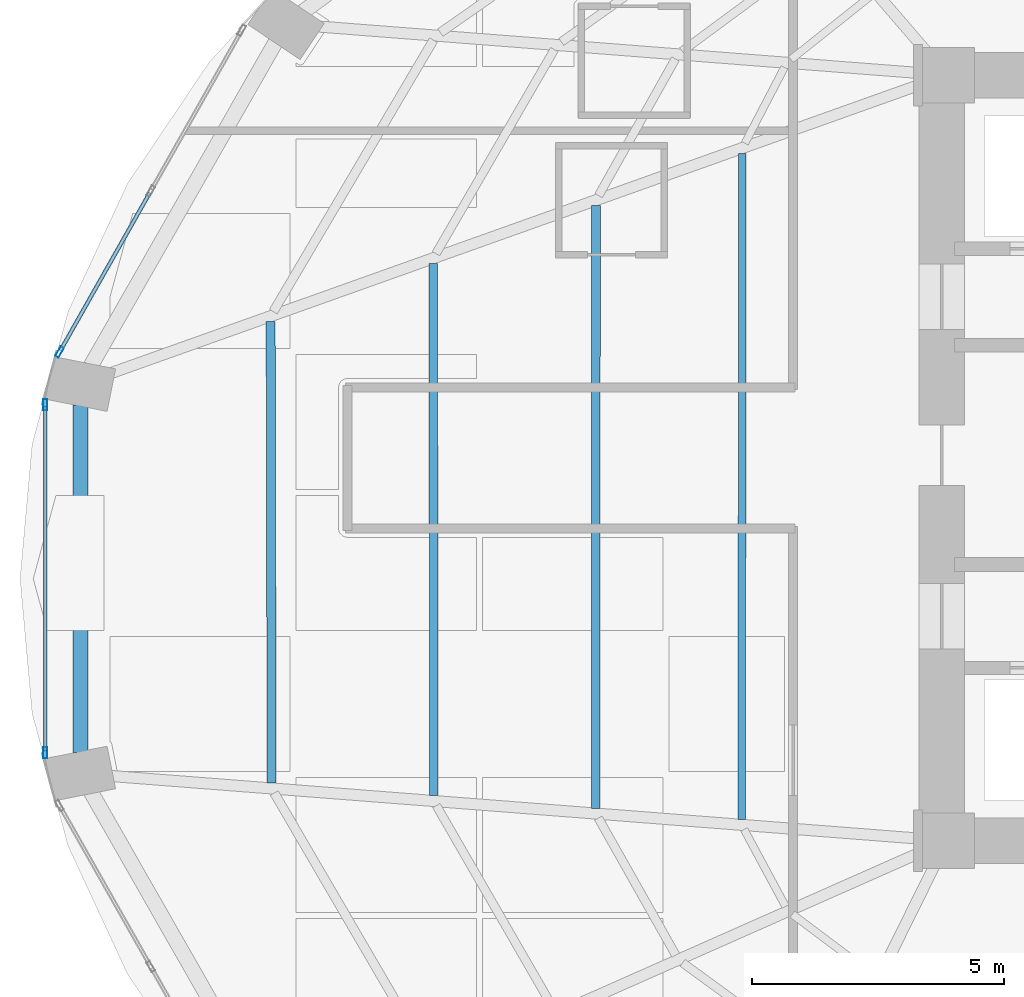
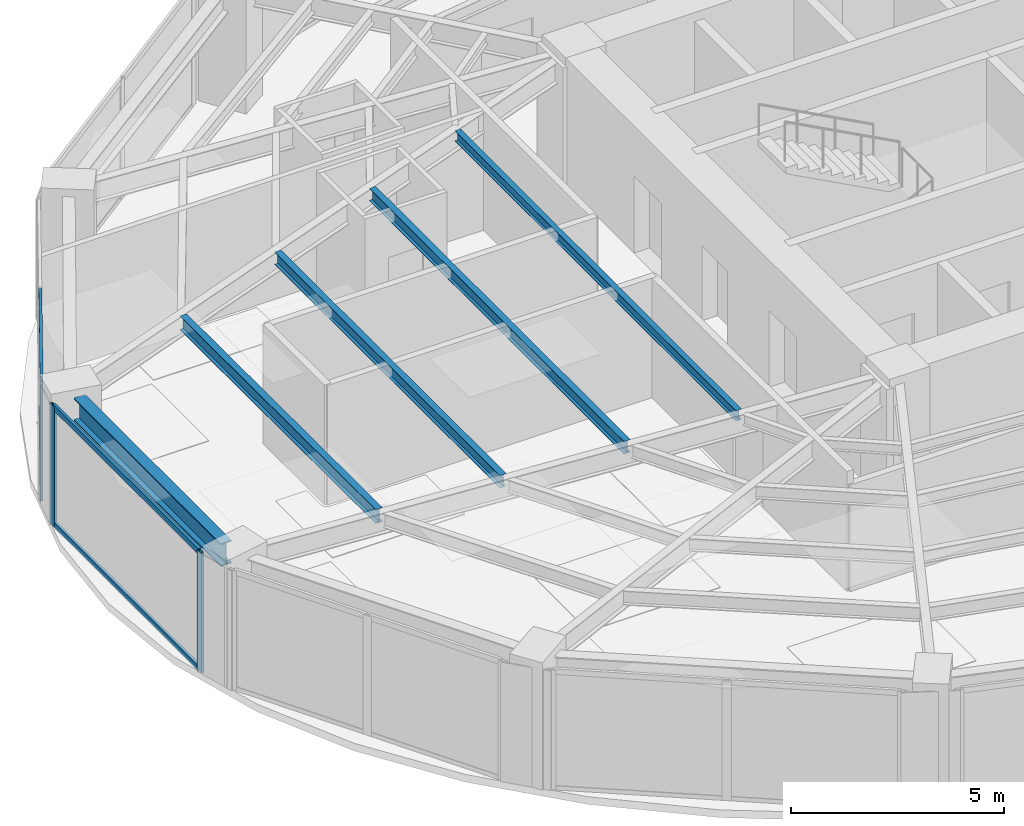
# One storey, part 8 of 25: 7 members, 5 beams, 2 elements without a shape of their own.
"""IFC4 building model written with IfcOpenShell, lengths in metres."""

from ifc_helpers import new_model, si_unit, direction, frame, origin, origin_2d, place, context, subcontext, project, spatial, hollow_rectangle, i_section, extrude, material, layer, layer_set, material_profile, profile_set, type_object, element, aggregate, save


model = new_model("IFC4")

# Units and contexts
model_context = context("Model", 3, precision=1e-05, world=origin(), true_north=direction((0.0, 1.0)))
body_context = subcontext(model_context, "Body", "Model", "MODEL_VIEW")
ifc_project = project(units=[si_unit("LENGTHUNIT", "METRE"), si_unit("AREAUNIT", "SQUARE_METRE"), si_unit("VOLUMEUNIT", "CUBIC_METRE"), si_unit("PLANEANGLEUNIT", "RADIAN"), si_unit("MASSUNIT", "GRAM", prefix="KILO")], contexts=[model_context])

# Site, building, storey
site_placement = place(None, origin())
site = spatial("IfcSite", under=ifc_project, at=site_placement, CompositionType="ELEMENT")
building_placement = place(site_placement, origin())
building = spatial("IfcBuilding", under=site, at=building_placement, Name="Lazwardi Medical Tower", CompositionType="ELEMENT")
storey_placement = place(building_placement, frame((0.0, 0.0, 47.087890625)))
storey = spatial("IfcBuildingStorey", under=building, at=storey_placement, Name="L11", CompositionType="ELEMENT", Elevation=47.087890625)

# Beams
ifc_material_1 = material(Name="Steel S355", Category="steel")
ifc_material_profile_1 = material_profile(ifc_material_1, i_section(OverallWidth=0.300048828125, OverallDepth=0.64990234375, WebThickness=0.01611328125, FlangeThickness=0.031005859375, at=origin_2d()), Name="HEB 650")
ifc_profile_set_1 = profile_set([ifc_material_profile_1], Name="Steel S355")
beam_type_1 = type_object("IfcBeamType", Name="BM-RB-Z1", PredefinedType="BEAM", material=ifc_profile_set_1)
beam_1_placement = place(storey_placement, frame((9.199951171875, 29.047607421875, 3.10302734375), z_axis=(0.0, -1.0, 0.0), x_axis=(1.0, 0.0, 0.0)))
element("IfcBeam", 1, at=beam_1_placement, inside=storey, type_object=beam_type_1, Name="Ring beam RB-02 B12 L11", PredefinedType="BEAM", context=body_context, shape_type="SweptSolid", body=[
    extrude(i_section(OverallWidth=0.300048828125, OverallDepth=0.64990234375, WebThickness=0.01611328125, FlangeThickness=0.031005859375, at=origin_2d()), origin(), (0.0, 0.0, 1.0), 6.895263671875),
])
ifc_material_profile_2 = material_profile(ifc_material_1, i_section(OverallWidth=0.179931640625, OverallDepth=0.39990234375, WebThickness=0.008544921875, FlangeThickness=0.013427734375, at=origin_2d()), Name="IPE 400")
ifc_profile_set_2 = profile_set([ifc_material_profile_2], Name="Steel S355")
beam_type_2 = type_object("IfcBeamType", Name="BM-SJ-01", PredefinedType="JOIST", material=ifc_profile_set_2)
beam_2_placement = place(storey_placement, frame((12.9765625, 30.708984375, 3.22802734375), z_axis=(0.002077613181, -0.999997841759, 0.0), x_axis=(0.999997841759, 0.002077613181, 0.0)))
element("IfcBeam", 2, at=beam_2_placement, inside=storey, type_object=beam_type_2, Name="Secondary joist SJ-01 R1 B12 L11", PredefinedType="JOIST", context=body_context, shape_type="SweptSolid", body=[
    extrude(i_section(OverallWidth=0.179931640625, OverallDepth=0.39990234375, WebThickness=0.008544921875, FlangeThickness=0.013427734375, at=origin_2d()), origin(), (0.0, 0.0, 1.0), 9.165771484375),
])
ifc_material_profile_3 = material_profile(ifc_material_1, i_section(OverallWidth=0.169921875, OverallDepth=0.360107421875, WebThickness=0.008056640625, FlangeThickness=0.0126953125, at=origin_2d()), Name="IPE 360")
ifc_profile_set_3 = profile_set([ifc_material_profile_3], Name="Steel S355")
beam_type_3 = type_object("IfcBeamType", Name="BM-SJ-02", PredefinedType="JOIST", material=ifc_profile_set_3)
beam_3_placement = place(storey_placement, frame((16.206298828125, 31.860595703125, 3.248046875), z_axis=(0.000670039821, -0.999999775523, 0.0), x_axis=(0.999999775523, 0.000670039821, 0.0)))
element("IfcBeam", 3, at=beam_3_placement, inside=storey, type_object=beam_type_3, Name="Secondary joist SJ-02 R2 B12 L11", PredefinedType="JOIST", context=body_context, shape_type="SweptSolid", body=[
    extrude(i_section(OverallWidth=0.169921875, OverallDepth=0.360107421875, WebThickness=0.008056640625, FlangeThickness=0.0126953125, at=origin_2d()), origin(), (0.0, 0.0, 1.0), 10.566650390625),
])
beam_4_placement = place(storey_placement, frame((19.43603515625, 33.01220703125, 3.248046875), z_axis=(-0.000387612685, -0.999999924878, 0.0), x_axis=(0.999999924878, -0.000387612685, 0.0)))
element("IfcBeam", 4, at=beam_4_placement, inside=storey, type_object=beam_type_3, Name="Secondary joist SJ-02 R3 B12 L11", PredefinedType="JOIST", context=body_context, shape_type="SweptSolid", body=[
    extrude(i_section(OverallWidth=0.169921875, OverallDepth=0.360107421875, WebThickness=0.008056640625, FlangeThickness=0.0126953125, at=origin_2d()), origin(), (0.0, 0.0, 1.0), 11.96728515625),
])
ifc_material_profile_4 = material_profile(ifc_material_1, i_section(OverallWidth=0.14990234375, OverallDepth=0.300048828125, WebThickness=0.007080078125, FlangeThickness=0.0107421875, at=origin_2d()), Name="IPE 300")
ifc_profile_set_4 = profile_set([ifc_material_profile_4], Name="Steel S355")
beam_type_4 = type_object("IfcBeamType", Name="BM-SJ-03", PredefinedType="JOIST", material=ifc_profile_set_4)
beam_5_placement = place(storey_placement, frame((22.343017578125, 34.048583984375, 3.278076171875), z_axis=(-0.001181203266, -0.999999302379, 0.0), x_axis=(0.999999302379, -0.001181203266, 0.0)))
element("IfcBeam", 5, at=beam_5_placement, inside=storey, type_object=beam_type_4, Name="Secondary joist SJ-03 R4 B12 L11", PredefinedType="JOIST", context=body_context, shape_type="SweptSolid", body=[
    extrude(i_section(OverallWidth=0.14990234375, OverallDepth=0.300048828125, WebThickness=0.007080078125, FlangeThickness=0.0107421875, at=origin_2d()), origin(), (0.0, 0.0, 1.0), 13.22802734375),
])

# Curtain wall, member
ifc_material_2 = material(Name="Anodised bronze aluminium and solar control glazing", Category="aluminium")
ifc_layer = layer(ifc_material_2, 0.199951171875)
ifc_layer_set = layer_set([ifc_layer], Name="Anodised bronze aluminium and solar control glazing")
curtain_wall_type = type_object("IfcCurtainWallType", Name="CW-SYS-02", PredefinedType="NOTDEFINED", material=ifc_layer_set)
curtain_wall_1_placement = place(storey_placement, origin())
curtain_wall_1 = element("IfcCurtainWall", 6, at=curtain_wall_1_placement, inside=storey, type_object=curtain_wall_type, Name="L11 Unitised bronze curtain wall CW-02", PredefinedType="NOTDEFINED")
ifc_material_3 = material(Name="Anodised bronze aluminium", Category="aluminium")
ifc_material_profile_5 = material_profile(ifc_material_3, hollow_rectangle(XDim=0.074951171875, YDim=0.219970703125, WallThickness=0.00390625, at=origin_2d()), Name="ALU-MULLION 220x75x4")
ifc_profile_set_5 = profile_set([ifc_material_profile_5], Name="Anodised bronze aluminium")
member_type_1 = type_object("IfcMemberType", Name="CW-MUL-01", PredefinedType="MULLION", material=ifc_profile_set_5)
member_1_placement = place(storey_placement, frame((8.785888671875, 30.102294921875, 0.0), z_axis=(0.0, 0.0, 1.0), x_axis=(0.870111838823, -0.492854327303, 0.0)))
member_1 = element("IfcMember", 7, at=member_1_placement, type_object=member_type_1, Name="CW-02 mullion 3", PredefinedType="MULLION", context=body_context, shape_type="SweptSolid", body=[
    extrude(hollow_rectangle(XDim=0.074951171875, YDim=0.219970703125, WallThickness=0.00390625, at=origin_2d()), origin(), (0.0, 0.0, 1.0), 3.42822265625),
])

# Curtain wall, members
curtain_wall_2_placement = place(storey_placement, origin())
curtain_wall_2 = element("IfcCurtainWall", 8, at=curtain_wall_2_placement, inside=storey, type_object=curtain_wall_type, Name="L11 Unitised bronze curtain wall CW-02", PredefinedType="NOTDEFINED")
member_2_placement = place(storey_placement, frame((8.50146484375, 29.053955078125, 0.0), z_axis=(0.0, 0.0, 1.0), x_axis=(1.0, 0.0, 0.0)))
member_2 = element("IfcMember", 9, at=member_2_placement, type_object=member_type_1, Name="CW-02 mullion 1", PredefinedType="MULLION", context=body_context, shape_type="SweptSolid", body=[
    extrude(hollow_rectangle(XDim=0.074951171875, YDim=0.219970703125, WallThickness=0.00390625, at=origin_2d()), origin(), (0.0, 0.0, 1.0), 3.42822265625),
])
member_3_placement = place(storey_placement, frame((8.50146484375, 22.14599609375, 0.0), z_axis=(0.0, 0.0, 1.0), x_axis=(1.0, 0.0, 0.0)))
member_3 = element("IfcMember", 10, at=member_3_placement, type_object=member_type_1, Name="CW-02 mullion 2", PredefinedType="MULLION", context=body_context, shape_type="SweptSolid", body=[
    extrude(hollow_rectangle(XDim=0.074951171875, YDim=0.219970703125, WallThickness=0.00390625, at=origin_2d()), origin(), (0.0, 0.0, 1.0), 3.42822265625),
])

# Member
ifc_material_profile_6 = material_profile(ifc_material_3, hollow_rectangle(XDim=0.074951171875, YDim=0.159912109375, WallThickness=0.00390625, at=origin_2d()), Name="ALU-TRANSOM 160x75x4")
ifc_profile_set_6 = profile_set([ifc_material_profile_6], Name="Anodised bronze aluminium")
member_type_2 = type_object("IfcMemberType", Name="CW-TRN-01", PredefinedType="USERDEFINED", material=ifc_profile_set_6)
member_4_placement = place(storey_placement, frame((10.576171875, 33.262939453125, 0.03759765625), z_axis=(-0.49285148925, -0.870113446365, 0.0), x_axis=(0.870113446365, -0.49285148925, 0.0)))
member_4 = element("IfcMember", 11, at=member_4_placement, type_object=member_type_2, Name="CW-02 transom 2.1", ObjectType="TRANSOM", PredefinedType="USERDEFINED", context=body_context, shape_type="SweptSolid", body=[
    extrude(hollow_rectangle(XDim=0.074951171875, YDim=0.159912109375, WallThickness=0.00390625, at=origin_2d()), origin(), (0.0, 0.0, 1.0), 3.594970703125),
])

member_5_placement = place(storey_placement, frame((10.576171875, 33.262939453125, 3.390625), z_axis=(-0.49285148925, -0.870113446365, 0.0), x_axis=(0.870113446365, -0.49285148925, 0.0)))
member_5 = element("IfcMember", 12, at=member_5_placement, type_object=member_type_2, Name="CW-02 transom 2.2", ObjectType="TRANSOM", PredefinedType="USERDEFINED", context=body_context, shape_type="SweptSolid", body=[
    extrude(hollow_rectangle(XDim=0.074951171875, YDim=0.159912109375, WallThickness=0.00390625, at=origin_2d()), origin(), (0.0, 0.0, 1.0), 3.594970703125),
])

aggregate(curtain_wall_1, [member_1, member_4, member_5])

member_6_placement = place(storey_placement, frame((8.50146484375, 29.0166015625, 0.03759765625), z_axis=(0.0, -1.0, 0.0), x_axis=(1.0, 0.0, 0.0)))
member_6 = element("IfcMember", 13, at=member_6_placement, type_object=member_type_2, Name="CW-02 transom 1.1", ObjectType="TRANSOM", PredefinedType="USERDEFINED", context=body_context, shape_type="SweptSolid", body=[
    extrude(hollow_rectangle(XDim=0.074951171875, YDim=0.159912109375, WallThickness=0.00390625, at=origin_2d()), origin(), (0.0, 0.0, 1.0), 6.8330078125),
])

member_7_placement = place(storey_placement, frame((8.50146484375, 29.0166015625, 3.390625), z_axis=(0.0, -1.0, 0.0), x_axis=(1.0, 0.0, 0.0)))
member_7 = element("IfcMember", 14, at=member_7_placement, type_object=member_type_2, Name="CW-02 transom 1.2", ObjectType="TRANSOM", PredefinedType="USERDEFINED", context=body_context, shape_type="SweptSolid", body=[
    extrude(hollow_rectangle(XDim=0.074951171875, YDim=0.159912109375, WallThickness=0.00390625, at=origin_2d()), origin(), (0.0, 0.0, 1.0), 6.8330078125),
])

aggregate(curtain_wall_2, [member_2, member_3, member_6, member_7])

save(model, "model.ifc")
